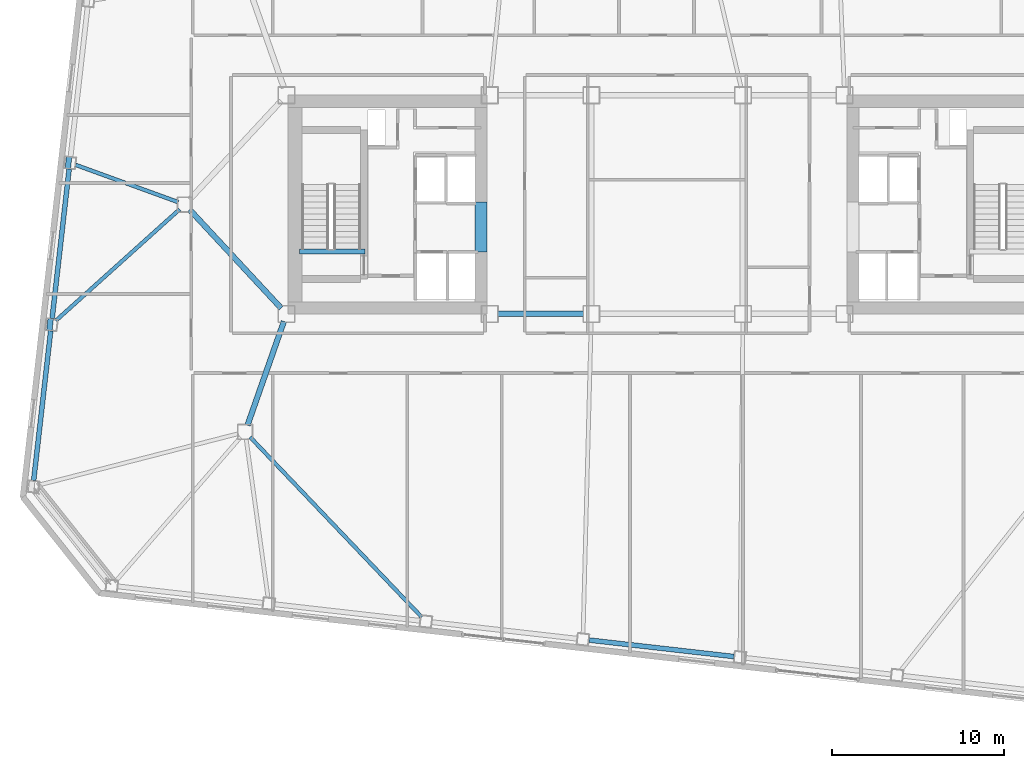
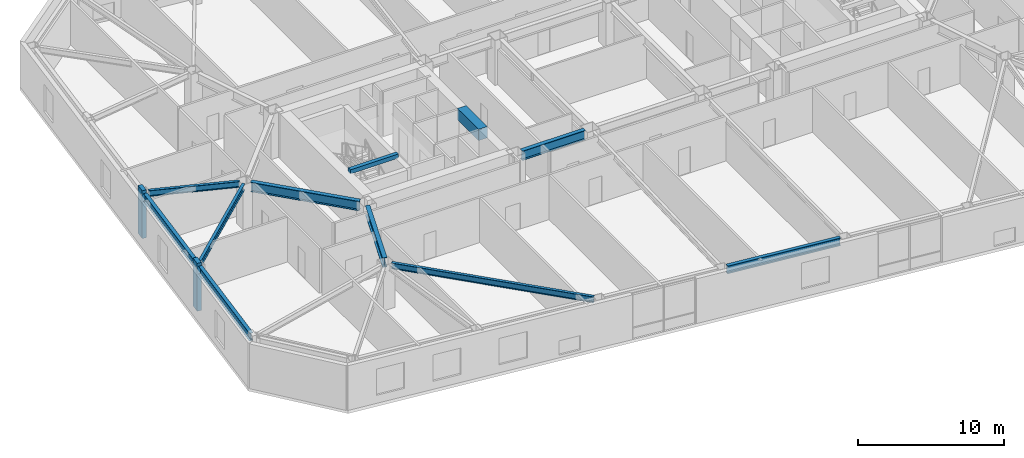
# One storey, part 3 of 21: 11 beams, 2 members.
"""IFC4 building model written with IfcOpenShell, lengths in metres."""

from ifc_helpers import new_model, si_unit, direction, frame, origin, origin_2d, place, context, subcontext, project, spatial, rectangle, i_section, extrude, material, material_profile, profile_set, type_object, element, save


model = new_model("IFC4")

# Units and contexts
model_context = context("Model", 3, precision=1e-05, world=origin(), true_north=direction((0.0, 1.0)))
body_context = subcontext(model_context, "Body", "Model", "MODEL_VIEW")
ifc_project = project(units=[si_unit("LENGTHUNIT", "METRE"), si_unit("AREAUNIT", "SQUARE_METRE"), si_unit("VOLUMEUNIT", "CUBIC_METRE"), si_unit("PLANEANGLEUNIT", "RADIAN"), si_unit("MASSUNIT", "GRAM", prefix="KILO")], contexts=[model_context])

# Site, building, storey
site_placement = place(None, origin())
site = spatial("IfcSite", under=ifc_project, at=site_placement, CompositionType="ELEMENT")
building_placement = place(site_placement, origin())
building = spatial("IfcBuilding", under=site, at=building_placement, Name="Tavrogorsk Clinical Tower", CompositionType="ELEMENT")
storey_placement = place(building_placement, frame((0.0, 0.0, 125.39990234375)))
storey = spatial("IfcBuildingStorey", under=building, at=storey_placement, Name="L28", CompositionType="ELEMENT", Elevation=125.39990234375)

# Beams
ifc_material_1 = material(Name="Concrete B80", Category="concrete")
ifc_material_profile_1 = material_profile(ifc_material_1, rectangle(XDim=0.699951171875, YDim=0.949951171875, at=origin_2d()), Name="RC-CB-700x950")
ifc_profile_set_1 = profile_set([ifc_material_profile_1], Name="Concrete B80")
beam_type_1 = type_object("IfcBeamType", Name="CouplingBeam_RC700x950", PredefinedType="LINTEL", material=ifc_profile_set_1)
beam_1_placement = place(storey_placement, frame((-10.800048828125, -2.75, 3.26513671875), z_axis=(0.0, 1.0, 0.0), x_axis=(-1.0, 0.0, 0.0)))
element("IfcBeam", 1, at=beam_1_placement, inside=storey, type_object=beam_type_1, Name="L28 Core West Coupling Beam", PredefinedType="LINTEL", context=body_context, shape_type="SweptSolid", body=[
    extrude(rectangle(XDim=0.699951171875, YDim=0.949951171875, at=origin_2d()), origin(), (0.0, 0.0, 1.0), 2.89990234375),
])
ifc_material_2 = material(Name="Structural steel S355", Category="steel")
ifc_material_profile_2 = material_profile(ifc_material_2, i_section(OverallWidth=0.219970703125, OverallDepth=0.5, WebThickness=0.012939453125, FlangeThickness=0.02001953125, at=origin_2d()), Name="B-500x220x13x20")
ifc_profile_set_2 = profile_set([ifc_material_profile_2], Name="Structural steel S355")
beam_type_2 = type_object("IfcBeamType", Name="FloorBeam_B500", PredefinedType="BEAM", material=ifc_profile_set_2)
beam_2_placement = place(storey_placement, frame((-24.217041015625, -13.496826171875, 3.489990234375), z_axis=(0.689995410805, -0.723813741972, 0.0), x_axis=(0.723813741972, 0.689995410805, 0.0)))
element("IfcBeam", 2, at=beam_2_placement, inside=storey, type_object=beam_type_2, Name="L28 Radial Floor Beam S3", PredefinedType="BEAM", context=body_context, shape_type="SweptSolid", body=[
    extrude(i_section(OverallWidth=0.219970703125, OverallDepth=0.5, WebThickness=0.012939453125, FlangeThickness=0.02001953125, at=origin_2d()), origin(), (0.0, 0.0, 1.0), 14.4384765625),
])
beam_3_placement = place(storey_placement, frame((-28.385498046875, 0.139892578125, 3.489990234375), z_axis=(-0.939993443432, 0.341192506225, 0.0), x_axis=(-0.341192506225, -0.939993443432, 0.0)))
element("IfcBeam", 3, at=beam_3_placement, inside=storey, type_object=beam_type_2, Name="L28 Radial Floor Beam W3", PredefinedType="BEAM", context=body_context, shape_type="SweptSolid", body=[
    extrude(i_section(OverallWidth=0.219970703125, OverallDepth=0.5, WebThickness=0.012939453125, FlangeThickness=0.02001953125, at=origin_2d()), origin(), (0.0, 0.0, 1.0), 6.33837890625),
])
beam_4_placement = place(storey_placement, frame((-28.3046875, -0.274169921875, 3.489990234375), z_axis=(-0.743369550828, -0.668880939257, 0.0), x_axis=(0.668880939257, -0.743369550828, 0.0)))
element("IfcBeam", 4, at=beam_4_placement, inside=storey, type_object=beam_type_2, Name="L28 Radial Floor Beam W4", PredefinedType="BEAM", context=body_context, shape_type="SweptSolid", body=[
    extrude(i_section(OverallWidth=0.219970703125, OverallDepth=0.5, WebThickness=0.012939453125, FlangeThickness=0.02001953125, at=origin_2d()), origin(), (0.0, 0.0, 1.0), 9.658935546875),
])

# Members
ifc_material_3 = material(Name="Precast concrete B45 with limestone cladding", Category="masonry")
ifc_material_profile_3 = material_profile(ifc_material_3, rectangle(XDim=0.320068359375, YDim=0.719970703125, at=origin_2d()), Name="LIMESTONE-FIN-320x720")
ifc_profile_set_3 = profile_set([ifc_material_profile_3], Name="Precast concrete B45 with limestone cladding")
member_type = type_object("IfcMemberType", Name="LimestonePleatFin_320x720", PredefinedType="USERDEFINED", material=ifc_profile_set_3)
for number, where, z_axis, x_axis, name in (
    (5, (-34.759521484375, 2.433837890625, 0.0), (0.0, 0.0, 1.0), (0.993571855677, -0.113203213768, 0.0), "L28 W Pleated Stone Fin 2"),
    (6, (-35.83056640625, -6.96533203125, 0.0), (0.0, 0.0, 1.0), (0.993571855677, -0.113203213768, 0.0), "L28 W Pleated Stone Fin 3"),
):
    element("IfcMember", number, at=place(storey_placement, frame(where, z_axis=z_axis, x_axis=x_axis)), inside=storey, type_object=member_type, Name=name, ObjectType="FIN", PredefinedType="USERDEFINED", context=body_context, shape_type="SweptSolid", body=[
        extrude(rectangle(XDim=0.320068359375, YDim=0.719970703125, at=origin_2d()), origin(), (0.0, 0.0, 1.0), 4.0),
    ])

# Beams
ifc_material_4 = material(Name="Structural steel S390", Category="steel")
ifc_material_profile_4 = material_profile(ifc_material_4, i_section(OverallWidth=0.320068359375, OverallDepth=0.800048828125, WebThickness=0.02001953125, FlangeThickness=0.033935546875, at=origin_2d()), Name="B-800x320x20x34")
ifc_profile_set_4 = profile_set([ifc_material_profile_4], Name="Structural steel S390")
beam_type_3 = type_object("IfcBeamType", Name="PrimaryGirder_B800", PredefinedType="USERDEFINED", material=ifc_profile_set_4)
beam_5_placement = place(storey_placement, frame((-9.840087890625, -6.35009765625, 3.340087890625), z_axis=(1.0, 0.0, 0.0), x_axis=(0.0, 1.0, 0.0)))
element("IfcBeam", 7, at=beam_5_placement, inside=storey, type_object=beam_type_3, Name="L28 Primary Spine Girder MG-01", ObjectType="GIRDER", PredefinedType="USERDEFINED", context=body_context, shape_type="SweptSolid", body=[
    extrude(i_section(OverallWidth=0.320068359375, OverallDepth=0.800048828125, WebThickness=0.02001953125, FlangeThickness=0.033935546875, at=origin_2d()), origin(), (0.0, 0.0, 1.0), 4.97998046875),
])
beam_6_placement = place(storey_placement, frame((-24.364501953125, -12.81298828125, 3.340087890625), z_axis=(0.330660234815, 0.943749865755, 0.0), x_axis=(-0.943749865755, 0.330660234815, 0.0)))
element("IfcBeam", 8, at=beam_6_placement, inside=storey, type_object=beam_type_3, Name="L28 Spine Link Girder OPG-1", ObjectType="GIRDER", PredefinedType="USERDEFINED", context=body_context, shape_type="SweptSolid", body=[
    extrude(i_section(OverallWidth=0.320068359375, OverallDepth=0.800048828125, WebThickness=0.02001953125, FlangeThickness=0.033935546875, at=origin_2d()), origin(), (0.0, 0.0, 1.0), 6.38818359375),
])
beam_7_placement = place(storey_placement, frame((-27.720947265625, -0.30029296875, 3.340087890625), z_axis=(0.680675630035, -0.732584934787, 0.0), x_axis=(0.732584934787, 0.680675630035, 0.0)))
element("IfcBeam", 9, at=beam_7_placement, inside=storey, type_object=beam_type_3, Name="L28 Spine Link Girder OPG-5", ObjectType="GIRDER", PredefinedType="USERDEFINED", context=body_context, shape_type="SweptSolid", body=[
    extrude(i_section(OverallWidth=0.320068359375, OverallDepth=0.800048828125, WebThickness=0.02001953125, FlangeThickness=0.033935546875, at=origin_2d()), origin(), (0.0, 0.0, 1.0), 7.7978515625),
])
ifc_material_5 = material(Name="Structural steel S390", Category="steel")
ifc_material_profile_5 = material_profile(ifc_material_5, i_section(OverallWidth=0.280029296875, OverallDepth=0.64990234375, WebThickness=0.01611328125, FlangeThickness=0.02490234375, at=origin_2d()), Name="B-650x280x16x25")
ifc_profile_set_5 = profile_set([ifc_material_profile_5], Name="Structural steel S390")
beam_type_4 = type_object("IfcBeamType", Name="SpandrelBeam_B650", PredefinedType="SPANDREL", material=ifc_profile_set_5)
beam_8_placement = place(storey_placement, frame((-4.533935546875, -25.2861328125, 3.4150390625), z_axis=(0.993572695356, -0.113195843756, 0.0), x_axis=(0.113195843756, 0.993572695356, 0.0)))
element("IfcBeam", 10, at=beam_8_placement, inside=storey, type_object=beam_type_4, Name="L28 Perimeter Spandrel S4-S5", PredefinedType="SPANDREL", context=body_context, shape_type="SweptSolid", body=[
    extrude(i_section(OverallWidth=0.280029296875, OverallDepth=0.64990234375, WebThickness=0.01611328125, FlangeThickness=0.02490234375, at=origin_2d()), origin(), (0.0, 0.0, 1.0), 8.461181640625),
])
for number, where, z_axis, x_axis, name in (
    (11, (-34.720703125, 2.069091796875, 3.4150390625), (-0.113192226434, -0.993573107464, 0.0), (0.993573107464, -0.113192226434, 0.0), "L28 Perimeter Spandrel W3-W4"),
    (12, (-35.79150390625, -7.330078125, 3.4150390625), (-0.113192226434, -0.993573107464, 0.0), (0.993573107464, -0.113192226434, 0.0), "L28 Perimeter Spandrel W4-W5"),
):
    element("IfcBeam", number, at=place(storey_placement, frame(where, z_axis=z_axis, x_axis=x_axis)), inside=storey, type_object=beam_type_4, Name=name, PredefinedType="SPANDREL", context=body_context, shape_type="SweptSolid", body=[
        extrude(i_section(OverallWidth=0.280029296875, OverallDepth=0.64990234375, WebThickness=0.01611328125, FlangeThickness=0.02490234375, at=origin_2d()), origin(), (0.0, 0.0, 1.0), 8.743896484375),
    ])
ifc_material_6 = material(Name="Concrete B60", Category="concrete")
ifc_material_profile_6 = material_profile(ifc_material_6, rectangle(XDim=0.300048828125, YDim=0.35009765625, at=origin_2d()), Name="RC-SHB-300x350")
ifc_profile_set_6 = profile_set([ifc_material_profile_6], Name="Concrete B60")
beam_type_5 = type_object("IfcBeamType", Name="StairHeaderBeam_RC300x350", PredefinedType="BEAM", material=ifc_profile_set_6)
beam_9_placement = place(storey_placement, frame((-21.35009765625, -2.719970703125, 3.8251953125), z_axis=(1.0, 0.0, 0.0), x_axis=(0.0, 1.0, 0.0)))
element("IfcBeam", 13, at=beam_9_placement, inside=storey, type_object=beam_type_5, Name="L29 ST-W Landing Header Beam", PredefinedType="BEAM", context=body_context, shape_type="SweptSolid", body=[
    extrude(rectangle(XDim=0.300048828125, YDim=0.35009765625, at=origin_2d()), origin(), (0.0, 0.0, 1.0), 3.800048828125),
])

save(model, "model.ifc")
